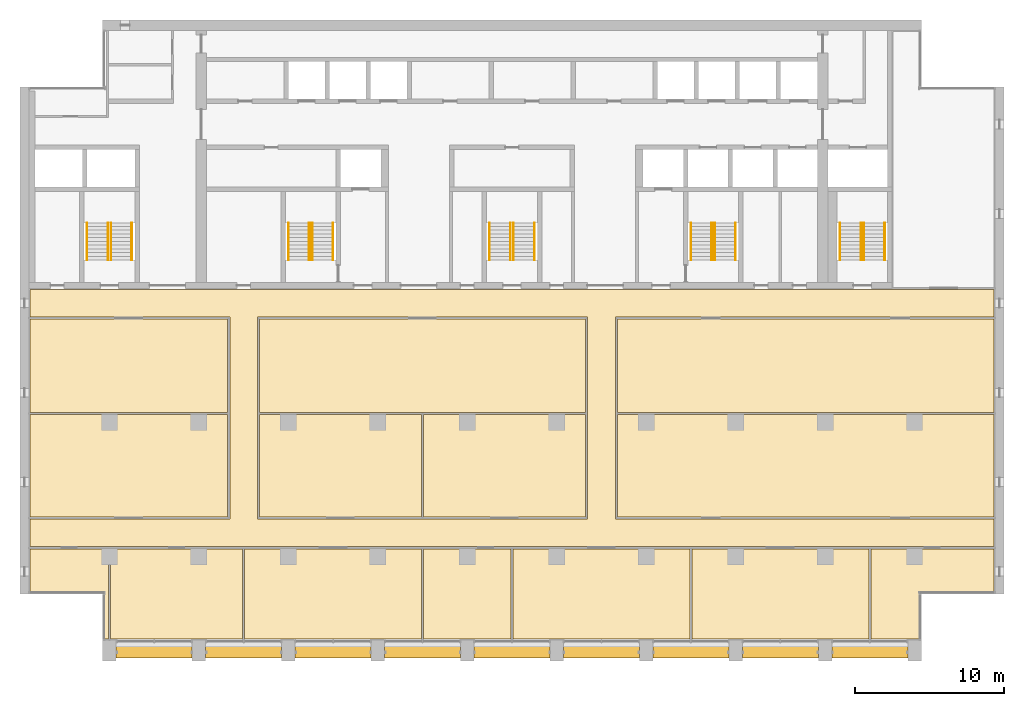
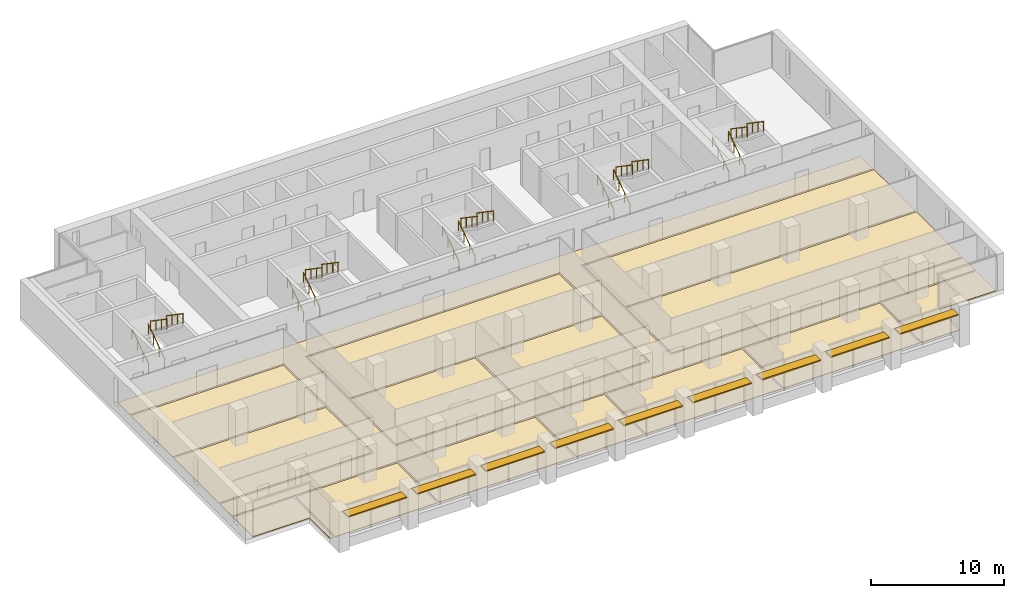
# One storey, part 16 of 17: 20 railings, 15 coverings, 9 shading devices, 5 elements without a shape of their own.
"""IFC4 building model written with IfcOpenShell, lengths in metres."""

from ifc_helpers import new_model, si_unit, direction, frame, origin, origin_2d, place, context, subcontext, project, spatial, polyline, rectangle, circle, outline, extrude, material, layer, layer_set, material_profile, profile_set, type_object, element, aggregate, save


model = new_model("IFC4")

# Units and contexts
model_context = context("Model", 3, precision=1e-05, world=origin(), true_north=direction((0.0, 1.0)))
body_context = subcontext(model_context, "Body", "Model", "MODEL_VIEW")
ifc_project = project(units=[si_unit("LENGTHUNIT", "METRE"), si_unit("AREAUNIT", "SQUARE_METRE"), si_unit("VOLUMEUNIT", "CUBIC_METRE"), si_unit("PLANEANGLEUNIT", "RADIAN"), si_unit("MASSUNIT", "GRAM", prefix="KILO")], contexts=[model_context])

# Site, building, storey
site_placement = place(None, origin())
site = spatial("IfcSite", under=ifc_project, at=site_placement, CompositionType="ELEMENT")
building_placement = place(site_placement, origin())
building = spatial("IfcBuilding", under=site, at=building_placement, Name="Calvaro Tower", CompositionType="ELEMENT")
storey_placement = place(building_placement, frame((0.0, 0.0, 196.75)))
storey = spatial("IfcBuildingStorey", under=building, at=storey_placement, Name="L49", CompositionType="ELEMENT", Elevation=196.75)

# Shading devices
ifc_material_1 = material(Name="Anodised aluminium", Category="aluminium")
ifc_material_profile = material_profile(ifc_material_1, rectangle(XDim=0.800048828125, YDim=0.10009765625, at=origin_2d()), Name="Brise-soleil blade 800 x 100")
ifc_profile_set = profile_set([ifc_material_profile], Name="Anodised aluminium")
shading_device_type = type_object("IfcShadingDeviceType", Name="Brise-soleil blade 800 x 100", PredefinedType="JALOUSIE", material=ifc_profile_set)
for number, where, z_axis, x_axis, name in (
    (1, (12.449951171875, 3.60009765625, 2.5), (1.0, 0.0, 0.0), (0.0, 1.0, 0.0), "Brise-soleil blade 1"),
    (2, (18.449951171875, 3.60009765625, 2.5), (1.0, 0.0, 0.0), (0.0, 1.0, 0.0), "Brise-soleil blade 2"),
    (3, (24.449951171875, 3.60009765625, 2.5), (1.0, 0.0, 0.0), (0.0, 1.0, 0.0), "Brise-soleil blade 3"),
    (4, (30.449951171875, 3.60009765625, 2.5), (1.0, 0.0, 0.0), (0.0, 1.0, 0.0), "Brise-soleil blade 4"),
    (5, (36.449951171875, 3.60009765625, 2.5), (1.0, 0.0, 0.0), (0.0, 1.0, 0.0), "Brise-soleil blade 5"),
    (6, (42.449951171875, 3.60009765625, 2.5), (1.0, 0.0, 0.0), (0.0, 1.0, 0.0), "Brise-soleil blade 6"),
    (7, (48.449951171875, 3.60009765625, 2.5), (1.0, 0.0, 0.0), (0.0, 1.0, 0.0), "Brise-soleil blade 7"),
    (8, (54.449951171875, 3.60009765625, 2.5), (1.0, 0.0, 0.0), (0.0, 1.0, 0.0), "Brise-soleil blade 8"),
    (9, (60.449951171875, 3.60009765625, 2.5), (1.0, 0.0, 0.0), (0.0, 1.0, 0.0), "Brise-soleil blade 9"),
):
    element("IfcShadingDevice", number, at=place(storey_placement, frame(where, z_axis=z_axis, x_axis=x_axis)), inside=storey, type_object=shading_device_type, Name=name, PredefinedType="JALOUSIE", context=body_context, shape_type="SweptSolid", body=[
        extrude(rectangle(XDim=0.800048828125, YDim=0.10009765625, at=origin_2d()), origin(), (0.0, 0.0, 1.0), 5.10009765625),
    ])

# Coverings
ifc_material_2 = material(Name="Cement screed with carpet tile finish")
ifc_layer = layer(ifc_material_2, 0.050048828125)
ifc_layer_set = layer_set([ifc_layer], Name="Cement screed with carpet tile finish")
covering_type = type_object("IfcCoveringType", Name="Floor finish 50", PredefinedType="FLOORING", material=ifc_layer_set)
covering_1_placement = place(storey_placement, origin())
element("IfcCovering", 10, at=covering_1_placement, inside=storey, type_object=covering_type, Name="Floor finish 28.01", PredefinedType="FLOORING", context=body_context, shape_type="SweptSolid", body=[
    extrude(outline(polyline([(6.669921875, 10.669921875), (6.669921875, 12.530029296875), (20.070068359375, 12.530029296875), (20.070068359375, 26.070068359375), (6.669921875, 26.070068359375), (6.669921875, 27.929931640625), (71.330078125, 27.929931640625), (71.330078125, 26.070068359375), (45.929931640625, 26.070068359375), (45.929931640625, 12.530029296875), (71.330078125, 12.530029296875), (71.330078125, 10.669921875), (6.669921875, 10.669921875)]), holes=[polyline([(44.070068359375, 12.530029296875), (44.070068359375, 26.070068359375), (21.929931640625, 26.070068359375), (21.929931640625, 12.530029296875), (44.070068359375, 12.530029296875)])]), origin(), (0.0, 0.0, 1.0), 0.050048828125),
])
covering_2_placement = place(storey_placement, origin())
element("IfcCovering", 11, at=covering_2_placement, inside=storey, type_object=covering_type, Name="Floor finish 28.08", PredefinedType="FLOORING", context=body_context, shape_type="SweptSolid", body=[
    extrude(outline(polyline([(11.929931640625, 10.530029296875), (11.929931640625, 4.469970703125), (11.6201171875, 4.469970703125), (11.6201171875, 7.570068359375), (6.669921875, 7.570068359375), (6.669921875, 10.530029296875), (11.929931640625, 10.530029296875)])), origin(), (0.0, 0.0, 1.0), 0.050048828125),
])
covering_3_placement = place(storey_placement, origin())
element("IfcCovering", 12, at=covering_3_placement, inside=storey, type_object=covering_type, Name="Floor finish 28.02", PredefinedType="FLOORING", context=body_context, shape_type="SweptSolid", body=[
    extrude(outline(polyline([(12.070068359375, 10.530029296875), (20.929931640625, 10.530029296875), (20.929931640625, 4.469970703125), (12.070068359375, 4.469970703125), (12.070068359375, 10.530029296875)])), origin(), (0.0, 0.0, 1.0), 0.050048828125),
])
covering_4_placement = place(storey_placement, origin())
element("IfcCovering", 13, at=covering_4_placement, inside=storey, type_object=covering_type, Name="Floor finish 28.03", PredefinedType="FLOORING", context=body_context, shape_type="SweptSolid", body=[
    extrude(outline(polyline([(21.070068359375, 10.530029296875), (32.929931640625, 10.530029296875), (32.929931640625, 4.469970703125), (21.070068359375, 4.469970703125), (21.070068359375, 10.530029296875)])), origin(), (0.0, 0.0, 1.0), 0.050048828125),
])
covering_5_placement = place(storey_placement, origin())
element("IfcCovering", 14, at=covering_5_placement, inside=storey, type_object=covering_type, Name="Floor finish 28.04", PredefinedType="FLOORING", context=body_context, shape_type="SweptSolid", body=[
    extrude(outline(polyline([(33.070068359375, 10.530029296875), (38.929931640625, 10.530029296875), (38.929931640625, 4.469970703125), (33.070068359375, 4.469970703125), (33.070068359375, 10.530029296875)])), origin(), (0.0, 0.0, 1.0), 0.050048828125),
])
covering_6_placement = place(storey_placement, origin())
element("IfcCovering", 15, at=covering_6_placement, inside=storey, type_object=covering_type, Name="Floor finish 28.05", PredefinedType="FLOORING", context=body_context, shape_type="SweptSolid", body=[
    extrude(outline(polyline([(39.070068359375, 10.530029296875), (50.929931640625, 10.530029296875), (50.929931640625, 4.469970703125), (39.070068359375, 4.469970703125), (39.070068359375, 10.530029296875)])), origin(), (0.0, 0.0, 1.0), 0.050048828125),
])
covering_7_placement = place(storey_placement, origin())
element("IfcCovering", 16, at=covering_7_placement, inside=storey, type_object=covering_type, Name="Floor finish 28.06", PredefinedType="FLOORING", context=body_context, shape_type="SweptSolid", body=[
    extrude(outline(polyline([(51.070068359375, 10.530029296875), (62.929931640625, 10.530029296875), (62.929931640625, 4.469970703125), (51.070068359375, 4.469970703125), (51.070068359375, 10.530029296875)])), origin(), (0.0, 0.0, 1.0), 0.050048828125),
])
covering_8_placement = place(storey_placement, origin())
element("IfcCovering", 17, at=covering_8_placement, inside=storey, type_object=covering_type, Name="Floor finish 28.07", PredefinedType="FLOORING", context=body_context, shape_type="SweptSolid", body=[
    extrude(outline(polyline([(71.330078125, 7.570068359375), (66.3798828125, 7.570068359375), (66.3798828125, 4.469970703125), (63.070068359375, 4.469970703125), (63.070068359375, 10.530029296875), (71.330078125, 10.530029296875), (71.330078125, 7.570068359375)])), origin(), (0.0, 0.0, 1.0), 0.050048828125),
])
covering_9_placement = place(storey_placement, origin())
element("IfcCovering", 18, at=covering_9_placement, inside=storey, type_object=covering_type, Name="Floor finish 28.09", PredefinedType="FLOORING", context=body_context, shape_type="SweptSolid", body=[
    extrude(outline(polyline([(19.929931640625, 19.530029296875), (19.929931640625, 12.669921875), (6.669921875, 12.669921875), (6.669921875, 19.530029296875), (19.929931640625, 19.530029296875)])), origin(), (0.0, 0.0, 1.0), 0.050048828125),
])
covering_10_placement = place(storey_placement, origin())
element("IfcCovering", 19, at=covering_10_placement, inside=storey, type_object=covering_type, Name="Floor finish 28.13", PredefinedType="FLOORING", context=body_context, shape_type="SweptSolid", body=[
    extrude(outline(polyline([(19.929931640625, 25.929931640625), (19.929931640625, 19.669921875), (6.669921875, 19.669921875), (6.669921875, 25.929931640625), (19.929931640625, 25.929931640625)])), origin(), (0.0, 0.0, 1.0), 0.050048828125),
])
covering_11_placement = place(storey_placement, origin())
element("IfcCovering", 20, at=covering_11_placement, inside=storey, type_object=covering_type, Name="Floor finish 28.10", PredefinedType="FLOORING", context=body_context, shape_type="SweptSolid", body=[
    extrude(outline(polyline([(22.070068359375, 12.669921875), (22.070068359375, 19.530029296875), (32.929931640625, 19.530029296875), (32.929931640625, 12.669921875), (22.070068359375, 12.669921875)])), origin(), (0.0, 0.0, 1.0), 0.050048828125),
])
covering_12_placement = place(storey_placement, origin())
element("IfcCovering", 21, at=covering_12_placement, inside=storey, type_object=covering_type, Name="Floor finish 28.11", PredefinedType="FLOORING", context=body_context, shape_type="SweptSolid", body=[
    extrude(outline(polyline([(33.070068359375, 12.669921875), (33.070068359375, 19.530029296875), (43.929931640625, 19.530029296875), (43.929931640625, 12.669921875), (33.070068359375, 12.669921875)])), origin(), (0.0, 0.0, 1.0), 0.050048828125),
])
covering_13_placement = place(storey_placement, origin())
element("IfcCovering", 22, at=covering_13_placement, inside=storey, type_object=covering_type, Name="Floor finish 28.14", PredefinedType="FLOORING", context=body_context, shape_type="SweptSolid", body=[
    extrude(outline(polyline([(22.070068359375, 19.669921875), (22.070068359375, 25.929931640625), (43.929931640625, 25.929931640625), (43.929931640625, 19.669921875), (22.070068359375, 19.669921875)])), origin(), (0.0, 0.0, 1.0), 0.050048828125),
])
covering_14_placement = place(storey_placement, origin())
element("IfcCovering", 23, at=covering_14_placement, inside=storey, type_object=covering_type, Name="Floor finish 28.12", PredefinedType="FLOORING", context=body_context, shape_type="SweptSolid", body=[
    extrude(outline(polyline([(71.330078125, 12.669921875), (46.070068359375, 12.669921875), (46.070068359375, 19.530029296875), (71.330078125, 19.530029296875), (71.330078125, 12.669921875)])), origin(), (0.0, 0.0, 1.0), 0.050048828125),
])
covering_15_placement = place(storey_placement, origin())
element("IfcCovering", 24, at=covering_15_placement, inside=storey, type_object=covering_type, Name="Floor finish 28.15", PredefinedType="FLOORING", context=body_context, shape_type="SweptSolid", body=[
    extrude(outline(polyline([(71.330078125, 19.669921875), (46.070068359375, 19.669921875), (46.070068359375, 25.929931640625), (71.330078125, 25.929931640625), (71.330078125, 19.669921875)])), origin(), (0.0, 0.0, 1.0), 0.050048828125),
])

# Stair, railings
ifc_material_3 = material(Name="Concrete C40/50", Category="concrete")
stair_type = type_object("IfcStairType", Name="Exit stair 1400 2 flights", PredefinedType="HALF_TURN_STAIR", material=ifc_material_3)
stair_1_placement = place(storey_placement, origin())
stair_1 = element("IfcStair", 25, at=stair_1_placement, inside=storey, type_object=stair_type, Name="Exit stair S1", PredefinedType="HALF_TURN_STAIR")
ifc_material_4 = material(Name="Stainless steel", Category="steel")
railing_type = type_object("IfcRailingType", Name="Stair handrail", PredefinedType="HANDRAIL", material=ifc_material_4)
railing_1_placement = place(storey_placement, frame((11.89990234375, 29.89990234375, 0.17041015625)))
railing_1 = element("IfcRailing", 26, at=railing_1_placement, type_object=railing_type, Name="Exit stair 1 handrail", PredefinedType="HANDRAIL", context=body_context, shape_type="SweptSolid", body=[
    extrude(circle(Radius=0.02392578125, at=origin_2d()), frame((0.0, 0.0, 0.8759765625), z_axis=(0.0, 0.826220514629, 0.563346839174), x_axis=(-1.0, 0.0, 0.0)), (0.0, 0.0, 1.0), 3.02587890625),
    extrude(circle(Radius=0.02099609375, at=origin_2d()), frame((0.0, 0.017333984375, 0.01171875)), (0.0, 0.0, 1.0), 0.851806640625),
    extrude(circle(Radius=0.02099609375, at=origin_2d()), frame((0.0, 0.833251953125, 0.568115234375)), (0.0, 0.0, 1.0), 0.851806640625),
    extrude(circle(Radius=0.02099609375, at=origin_2d()), frame((0.0, 1.666748046875, 1.136474609375)), (0.0, 0.0, 1.0), 0.851806640625),
    extrude(circle(Radius=0.02099609375, at=origin_2d()), frame((0.0, 2.482666015625, 1.69287109375)), (0.0, 0.0, 1.0), 0.851806640625),
])
railing_2_placement = place(storey_placement, frame((10.5, 29.89990234375, 0.17041015625)))
railing_2 = element("IfcRailing", 27, at=railing_2_placement, type_object=railing_type, Name="Exit stair 1 handrail", PredefinedType="HANDRAIL", context=body_context, shape_type="SweptSolid", body=[
    extrude(circle(Radius=0.02392578125, at=origin_2d()), frame((0.0, 0.0, 0.8759765625), z_axis=(0.0, 0.826220514629, 0.563346839174), x_axis=(-1.0, 0.0, 0.0)), (0.0, 0.0, 1.0), 3.02587890625),
    extrude(circle(Radius=0.02099609375, at=origin_2d()), frame((0.0, 0.017333984375, 0.01171875)), (0.0, 0.0, 1.0), 0.851806640625),
    extrude(circle(Radius=0.02099609375, at=origin_2d()), frame((0.0, 0.833251953125, 0.568115234375)), (0.0, 0.0, 1.0), 0.851806640625),
    extrude(circle(Radius=0.02099609375, at=origin_2d()), frame((0.0, 1.666748046875, 1.136474609375)), (0.0, 0.0, 1.0), 0.851806640625),
    extrude(circle(Radius=0.02099609375, at=origin_2d()), frame((0.0, 2.482666015625, 1.69287109375)), (0.0, 0.0, 1.0), 0.851806640625),
])
railing_3_placement = place(storey_placement, frame((12.10009765625, 32.39990234375, 2.04541015625)))
railing_3 = element("IfcRailing", 28, at=railing_3_placement, type_object=railing_type, Name="Exit stair 1 handrail", PredefinedType="HANDRAIL", context=body_context, shape_type="SweptSolid", body=[
    extrude(circle(Radius=0.02392578125, at=origin_2d()), frame((0.0, 0.0, 0.8759765625), z_axis=(0.0, -0.826220514629, 0.563346839174), x_axis=(1.0, 0.0, 0.0)), (0.0, 0.0, 1.0), 3.02587890625),
    extrude(circle(Radius=0.02099609375, at=origin_2d()), frame((0.0, -0.017333984375, 0.01171875)), (0.0, 0.0, 1.0), 0.851806640625),
    extrude(circle(Radius=0.02099609375, at=origin_2d()), frame((0.0, -0.833251953125, 0.568115234375)), (0.0, 0.0, 1.0), 0.851806640625),
    extrude(circle(Radius=0.02099609375, at=origin_2d()), frame((0.0, -1.666748046875, 1.136474609375)), (0.0, 0.0, 1.0), 0.851806640625),
    extrude(circle(Radius=0.02099609375, at=origin_2d()), frame((0.0, -2.482666015625, 1.69287109375)), (0.0, 0.0, 1.0), 0.851806640625),
])
railing_4_placement = place(storey_placement, frame((13.5, 32.39990234375, 2.04541015625)))
railing_4 = element("IfcRailing", 29, at=railing_4_placement, type_object=railing_type, Name="Exit stair 1 handrail", PredefinedType="HANDRAIL", context=body_context, shape_type="SweptSolid", body=[
    extrude(circle(Radius=0.02392578125, at=origin_2d()), frame((0.0, 0.0, 0.8759765625), z_axis=(0.0, -0.826220514629, 0.563346839174), x_axis=(1.0, 0.0, 0.0)), (0.0, 0.0, 1.0), 3.02587890625),
    extrude(circle(Radius=0.02099609375, at=origin_2d()), frame((0.0, -0.017333984375, 0.01171875)), (0.0, 0.0, 1.0), 0.851806640625),
    extrude(circle(Radius=0.02099609375, at=origin_2d()), frame((0.0, -0.833251953125, 0.568115234375)), (0.0, 0.0, 1.0), 0.851806640625),
    extrude(circle(Radius=0.02099609375, at=origin_2d()), frame((0.0, -1.666748046875, 1.136474609375)), (0.0, 0.0, 1.0), 0.851806640625),
    extrude(circle(Radius=0.02099609375, at=origin_2d()), frame((0.0, -2.482666015625, 1.69287109375)), (0.0, 0.0, 1.0), 0.851806640625),
])
aggregate(stair_1, [railing_1, railing_2, railing_3, railing_4])

stair_2_placement = place(storey_placement, origin())
stair_2 = element("IfcStair", 30, at=stair_2_placement, inside=storey, type_object=stair_type, Name="Exit stair S2", PredefinedType="HALF_TURN_STAIR")
railing_5_placement = place(storey_placement, frame((25.39990234375, 29.89990234375, 0.17041015625)))
railing_5 = element("IfcRailing", 31, at=railing_5_placement, type_object=railing_type, Name="Exit stair 2 handrail", PredefinedType="HANDRAIL", context=body_context, shape_type="SweptSolid", body=[
    extrude(circle(Radius=0.02392578125, at=origin_2d()), frame((0.0, 0.0, 0.8759765625), z_axis=(0.0, 0.826220514629, 0.563346839174), x_axis=(-1.0, 0.0, 0.0)), (0.0, 0.0, 1.0), 3.02587890625),
    extrude(circle(Radius=0.02099609375, at=origin_2d()), frame((0.0, 0.017333984375, 0.01171875)), (0.0, 0.0, 1.0), 0.851806640625),
    extrude(circle(Radius=0.02099609375, at=origin_2d()), frame((0.0, 0.833251953125, 0.568115234375)), (0.0, 0.0, 1.0), 0.851806640625),
    extrude(circle(Radius=0.02099609375, at=origin_2d()), frame((0.0, 1.666748046875, 1.136474609375)), (0.0, 0.0, 1.0), 0.851806640625),
    extrude(circle(Radius=0.02099609375, at=origin_2d()), frame((0.0, 2.482666015625, 1.69287109375)), (0.0, 0.0, 1.0), 0.851806640625),
])
railing_6_placement = place(storey_placement, frame((24.0, 29.89990234375, 0.17041015625)))
railing_6 = element("IfcRailing", 32, at=railing_6_placement, type_object=railing_type, Name="Exit stair 2 handrail", PredefinedType="HANDRAIL", context=body_context, shape_type="SweptSolid", body=[
    extrude(circle(Radius=0.02392578125, at=origin_2d()), frame((0.0, 0.0, 0.8759765625), z_axis=(0.0, 0.826220514629, 0.563346839174), x_axis=(-1.0, 0.0, 0.0)), (0.0, 0.0, 1.0), 3.02587890625),
    extrude(circle(Radius=0.02099609375, at=origin_2d()), frame((0.0, 0.017333984375, 0.01171875)), (0.0, 0.0, 1.0), 0.851806640625),
    extrude(circle(Radius=0.02099609375, at=origin_2d()), frame((0.0, 0.833251953125, 0.568115234375)), (0.0, 0.0, 1.0), 0.851806640625),
    extrude(circle(Radius=0.02099609375, at=origin_2d()), frame((0.0, 1.666748046875, 1.136474609375)), (0.0, 0.0, 1.0), 0.851806640625),
    extrude(circle(Radius=0.02099609375, at=origin_2d()), frame((0.0, 2.482666015625, 1.69287109375)), (0.0, 0.0, 1.0), 0.851806640625),
])
railing_7_placement = place(storey_placement, frame((25.60009765625, 32.39990234375, 2.04541015625)))
railing_7 = element("IfcRailing", 33, at=railing_7_placement, type_object=railing_type, Name="Exit stair 2 handrail", PredefinedType="HANDRAIL", context=body_context, shape_type="SweptSolid", body=[
    extrude(circle(Radius=0.02392578125, at=origin_2d()), frame((0.0, 0.0, 0.8759765625), z_axis=(0.0, -0.826220514629, 0.563346839174), x_axis=(1.0, 0.0, 0.0)), (0.0, 0.0, 1.0), 3.02587890625),
    extrude(circle(Radius=0.02099609375, at=origin_2d()), frame((0.0, -0.017333984375, 0.01171875)), (0.0, 0.0, 1.0), 0.851806640625),
    extrude(circle(Radius=0.02099609375, at=origin_2d()), frame((0.0, -0.833251953125, 0.568115234375)), (0.0, 0.0, 1.0), 0.851806640625),
    extrude(circle(Radius=0.02099609375, at=origin_2d()), frame((0.0, -1.666748046875, 1.136474609375)), (0.0, 0.0, 1.0), 0.851806640625),
    extrude(circle(Radius=0.02099609375, at=origin_2d()), frame((0.0, -2.482666015625, 1.69287109375)), (0.0, 0.0, 1.0), 0.851806640625),
])
railing_8_placement = place(storey_placement, frame((27.0, 32.39990234375, 2.04541015625)))
railing_8 = element("IfcRailing", 34, at=railing_8_placement, type_object=railing_type, Name="Exit stair 2 handrail", PredefinedType="HANDRAIL", context=body_context, shape_type="SweptSolid", body=[
    extrude(circle(Radius=0.02392578125, at=origin_2d()), frame((0.0, 0.0, 0.8759765625), z_axis=(0.0, -0.826220514629, 0.563346839174), x_axis=(1.0, 0.0, 0.0)), (0.0, 0.0, 1.0), 3.02587890625),
    extrude(circle(Radius=0.02099609375, at=origin_2d()), frame((0.0, -0.017333984375, 0.01171875)), (0.0, 0.0, 1.0), 0.851806640625),
    extrude(circle(Radius=0.02099609375, at=origin_2d()), frame((0.0, -0.833251953125, 0.568115234375)), (0.0, 0.0, 1.0), 0.851806640625),
    extrude(circle(Radius=0.02099609375, at=origin_2d()), frame((0.0, -1.666748046875, 1.136474609375)), (0.0, 0.0, 1.0), 0.851806640625),
    extrude(circle(Radius=0.02099609375, at=origin_2d()), frame((0.0, -2.482666015625, 1.69287109375)), (0.0, 0.0, 1.0), 0.851806640625),
])
aggregate(stair_2, [railing_5, railing_6, railing_7, railing_8])

stair_3_placement = place(storey_placement, origin())
stair_3 = element("IfcStair", 35, at=stair_3_placement, inside=storey, type_object=stair_type, Name="Exit stair S3", PredefinedType="HALF_TURN_STAIR")
railing_9_placement = place(storey_placement, frame((38.89990234375, 29.89990234375, 0.17041015625)))
railing_9 = element("IfcRailing", 36, at=railing_9_placement, type_object=railing_type, Name="Exit stair 3 handrail", PredefinedType="HANDRAIL", context=body_context, shape_type="SweptSolid", body=[
    extrude(circle(Radius=0.02392578125, at=origin_2d()), frame((0.0, 0.0, 0.8759765625), z_axis=(0.0, 0.826220514629, 0.563346839174), x_axis=(-1.0, 0.0, 0.0)), (0.0, 0.0, 1.0), 3.02587890625),
    extrude(circle(Radius=0.02099609375, at=origin_2d()), frame((0.0, 0.017333984375, 0.01171875)), (0.0, 0.0, 1.0), 0.851806640625),
    extrude(circle(Radius=0.02099609375, at=origin_2d()), frame((0.0, 0.833251953125, 0.568115234375)), (0.0, 0.0, 1.0), 0.851806640625),
    extrude(circle(Radius=0.02099609375, at=origin_2d()), frame((0.0, 1.666748046875, 1.136474609375)), (0.0, 0.0, 1.0), 0.851806640625),
    extrude(circle(Radius=0.02099609375, at=origin_2d()), frame((0.0, 2.482666015625, 1.69287109375)), (0.0, 0.0, 1.0), 0.851806640625),
])
railing_10_placement = place(storey_placement, frame((37.5, 29.89990234375, 0.17041015625)))
railing_10 = element("IfcRailing", 37, at=railing_10_placement, type_object=railing_type, Name="Exit stair 3 handrail", PredefinedType="HANDRAIL", context=body_context, shape_type="SweptSolid", body=[
    extrude(circle(Radius=0.02392578125, at=origin_2d()), frame((0.0, 0.0, 0.8759765625), z_axis=(0.0, 0.826220514629, 0.563346839174), x_axis=(-1.0, 0.0, 0.0)), (0.0, 0.0, 1.0), 3.02587890625),
    extrude(circle(Radius=0.02099609375, at=origin_2d()), frame((0.0, 0.017333984375, 0.01171875)), (0.0, 0.0, 1.0), 0.851806640625),
    extrude(circle(Radius=0.02099609375, at=origin_2d()), frame((0.0, 0.833251953125, 0.568115234375)), (0.0, 0.0, 1.0), 0.851806640625),
    extrude(circle(Radius=0.02099609375, at=origin_2d()), frame((0.0, 1.666748046875, 1.136474609375)), (0.0, 0.0, 1.0), 0.851806640625),
    extrude(circle(Radius=0.02099609375, at=origin_2d()), frame((0.0, 2.482666015625, 1.69287109375)), (0.0, 0.0, 1.0), 0.851806640625),
])
railing_11_placement = place(storey_placement, frame((39.10009765625, 32.39990234375, 2.04541015625)))
railing_11 = element("IfcRailing", 38, at=railing_11_placement, type_object=railing_type, Name="Exit stair 3 handrail", PredefinedType="HANDRAIL", context=body_context, shape_type="SweptSolid", body=[
    extrude(circle(Radius=0.02392578125, at=origin_2d()), frame((0.0, 0.0, 0.8759765625), z_axis=(0.0, -0.826220514629, 0.563346839174), x_axis=(1.0, 0.0, 0.0)), (0.0, 0.0, 1.0), 3.02587890625),
    extrude(circle(Radius=0.02099609375, at=origin_2d()), frame((0.0, -0.017333984375, 0.01171875)), (0.0, 0.0, 1.0), 0.851806640625),
    extrude(circle(Radius=0.02099609375, at=origin_2d()), frame((0.0, -0.833251953125, 0.568115234375)), (0.0, 0.0, 1.0), 0.851806640625),
    extrude(circle(Radius=0.02099609375, at=origin_2d()), frame((0.0, -1.666748046875, 1.136474609375)), (0.0, 0.0, 1.0), 0.851806640625),
    extrude(circle(Radius=0.02099609375, at=origin_2d()), frame((0.0, -2.482666015625, 1.69287109375)), (0.0, 0.0, 1.0), 0.851806640625),
])
railing_12_placement = place(storey_placement, frame((40.5, 32.39990234375, 2.04541015625)))
railing_12 = element("IfcRailing", 39, at=railing_12_placement, type_object=railing_type, Name="Exit stair 3 handrail", PredefinedType="HANDRAIL", context=body_context, shape_type="SweptSolid", body=[
    extrude(circle(Radius=0.02392578125, at=origin_2d()), frame((0.0, 0.0, 0.8759765625), z_axis=(0.0, -0.826220514629, 0.563346839174), x_axis=(1.0, 0.0, 0.0)), (0.0, 0.0, 1.0), 3.02587890625),
    extrude(circle(Radius=0.02099609375, at=origin_2d()), frame((0.0, -0.017333984375, 0.01171875)), (0.0, 0.0, 1.0), 0.851806640625),
    extrude(circle(Radius=0.02099609375, at=origin_2d()), frame((0.0, -0.833251953125, 0.568115234375)), (0.0, 0.0, 1.0), 0.851806640625),
    extrude(circle(Radius=0.02099609375, at=origin_2d()), frame((0.0, -1.666748046875, 1.136474609375)), (0.0, 0.0, 1.0), 0.851806640625),
    extrude(circle(Radius=0.02099609375, at=origin_2d()), frame((0.0, -2.482666015625, 1.69287109375)), (0.0, 0.0, 1.0), 0.851806640625),
])
aggregate(stair_3, [railing_9, railing_10, railing_11, railing_12])

stair_4_placement = place(storey_placement, origin())
stair_4 = element("IfcStair", 40, at=stair_4_placement, inside=storey, type_object=stair_type, Name="Exit stair S4", PredefinedType="HALF_TURN_STAIR")
railing_13_placement = place(storey_placement, frame((52.39990234375, 29.89990234375, 0.17041015625)))
railing_13 = element("IfcRailing", 41, at=railing_13_placement, type_object=railing_type, Name="Exit stair 4 handrail", PredefinedType="HANDRAIL", context=body_context, shape_type="SweptSolid", body=[
    extrude(circle(Radius=0.02392578125, at=origin_2d()), frame((0.0, 0.0, 0.8759765625), z_axis=(0.0, 0.826220514629, 0.563346839174), x_axis=(-1.0, 0.0, 0.0)), (0.0, 0.0, 1.0), 3.02587890625),
    extrude(circle(Radius=0.02099609375, at=origin_2d()), frame((0.0, 0.017333984375, 0.01171875)), (0.0, 0.0, 1.0), 0.851806640625),
    extrude(circle(Radius=0.02099609375, at=origin_2d()), frame((0.0, 0.833251953125, 0.568115234375)), (0.0, 0.0, 1.0), 0.851806640625),
    extrude(circle(Radius=0.02099609375, at=origin_2d()), frame((0.0, 1.666748046875, 1.136474609375)), (0.0, 0.0, 1.0), 0.851806640625),
    extrude(circle(Radius=0.02099609375, at=origin_2d()), frame((0.0, 2.482666015625, 1.69287109375)), (0.0, 0.0, 1.0), 0.851806640625),
])
railing_14_placement = place(storey_placement, frame((51.0, 29.89990234375, 0.17041015625)))
railing_14 = element("IfcRailing", 42, at=railing_14_placement, type_object=railing_type, Name="Exit stair 4 handrail", PredefinedType="HANDRAIL", context=body_context, shape_type="SweptSolid", body=[
    extrude(circle(Radius=0.02392578125, at=origin_2d()), frame((0.0, 0.0, 0.8759765625), z_axis=(0.0, 0.826220514629, 0.563346839174), x_axis=(-1.0, 0.0, 0.0)), (0.0, 0.0, 1.0), 3.02587890625),
    extrude(circle(Radius=0.02099609375, at=origin_2d()), frame((0.0, 0.017333984375, 0.01171875)), (0.0, 0.0, 1.0), 0.851806640625),
    extrude(circle(Radius=0.02099609375, at=origin_2d()), frame((0.0, 0.833251953125, 0.568115234375)), (0.0, 0.0, 1.0), 0.851806640625),
    extrude(circle(Radius=0.02099609375, at=origin_2d()), frame((0.0, 1.666748046875, 1.136474609375)), (0.0, 0.0, 1.0), 0.851806640625),
    extrude(circle(Radius=0.02099609375, at=origin_2d()), frame((0.0, 2.482666015625, 1.69287109375)), (0.0, 0.0, 1.0), 0.851806640625),
])
railing_15_placement = place(storey_placement, frame((52.60009765625, 32.39990234375, 2.04541015625)))
railing_15 = element("IfcRailing", 43, at=railing_15_placement, type_object=railing_type, Name="Exit stair 4 handrail", PredefinedType="HANDRAIL", context=body_context, shape_type="SweptSolid", body=[
    extrude(circle(Radius=0.02392578125, at=origin_2d()), frame((0.0, 0.0, 0.8759765625), z_axis=(0.0, -0.826220514629, 0.563346839174), x_axis=(1.0, 0.0, 0.0)), (0.0, 0.0, 1.0), 3.02587890625),
    extrude(circle(Radius=0.02099609375, at=origin_2d()), frame((0.0, -0.017333984375, 0.01171875)), (0.0, 0.0, 1.0), 0.851806640625),
    extrude(circle(Radius=0.02099609375, at=origin_2d()), frame((0.0, -0.833251953125, 0.568115234375)), (0.0, 0.0, 1.0), 0.851806640625),
    extrude(circle(Radius=0.02099609375, at=origin_2d()), frame((0.0, -1.666748046875, 1.136474609375)), (0.0, 0.0, 1.0), 0.851806640625),
    extrude(circle(Radius=0.02099609375, at=origin_2d()), frame((0.0, -2.482666015625, 1.69287109375)), (0.0, 0.0, 1.0), 0.851806640625),
])
railing_16_placement = place(storey_placement, frame((54.0, 32.39990234375, 2.04541015625)))
railing_16 = element("IfcRailing", 44, at=railing_16_placement, type_object=railing_type, Name="Exit stair 4 handrail", PredefinedType="HANDRAIL", context=body_context, shape_type="SweptSolid", body=[
    extrude(circle(Radius=0.02392578125, at=origin_2d()), frame((0.0, 0.0, 0.8759765625), z_axis=(0.0, -0.826220514629, 0.563346839174), x_axis=(1.0, 0.0, 0.0)), (0.0, 0.0, 1.0), 3.02587890625),
    extrude(circle(Radius=0.02099609375, at=origin_2d()), frame((0.0, -0.017333984375, 0.01171875)), (0.0, 0.0, 1.0), 0.851806640625),
    extrude(circle(Radius=0.02099609375, at=origin_2d()), frame((0.0, -0.833251953125, 0.568115234375)), (0.0, 0.0, 1.0), 0.851806640625),
    extrude(circle(Radius=0.02099609375, at=origin_2d()), frame((0.0, -1.666748046875, 1.136474609375)), (0.0, 0.0, 1.0), 0.851806640625),
    extrude(circle(Radius=0.02099609375, at=origin_2d()), frame((0.0, -2.482666015625, 1.69287109375)), (0.0, 0.0, 1.0), 0.851806640625),
])
aggregate(stair_4, [railing_13, railing_14, railing_15, railing_16])

stair_5_placement = place(storey_placement, origin())
stair_5 = element("IfcStair", 45, at=stair_5_placement, inside=storey, type_object=stair_type, Name="Exit stair S5", PredefinedType="HALF_TURN_STAIR")
railing_17_placement = place(storey_placement, frame((62.39990234375, 29.89990234375, 0.17041015625)))
railing_17 = element("IfcRailing", 46, at=railing_17_placement, type_object=railing_type, Name="Exit stair 5 handrail", PredefinedType="HANDRAIL", context=body_context, shape_type="SweptSolid", body=[
    extrude(circle(Radius=0.02392578125, at=origin_2d()), frame((0.0, 0.0, 0.8759765625), z_axis=(0.0, 0.826220514629, 0.563346839174), x_axis=(-1.0, 0.0, 0.0)), (0.0, 0.0, 1.0), 3.02587890625),
    extrude(circle(Radius=0.02099609375, at=origin_2d()), frame((0.0, 0.017333984375, 0.01171875)), (0.0, 0.0, 1.0), 0.851806640625),
    extrude(circle(Radius=0.02099609375, at=origin_2d()), frame((0.0, 0.833251953125, 0.568115234375)), (0.0, 0.0, 1.0), 0.851806640625),
    extrude(circle(Radius=0.02099609375, at=origin_2d()), frame((0.0, 1.666748046875, 1.136474609375)), (0.0, 0.0, 1.0), 0.851806640625),
    extrude(circle(Radius=0.02099609375, at=origin_2d()), frame((0.0, 2.482666015625, 1.69287109375)), (0.0, 0.0, 1.0), 0.851806640625),
])
railing_18_placement = place(storey_placement, frame((61.0, 29.89990234375, 0.17041015625)))
railing_18 = element("IfcRailing", 47, at=railing_18_placement, type_object=railing_type, Name="Exit stair 5 handrail", PredefinedType="HANDRAIL", context=body_context, shape_type="SweptSolid", body=[
    extrude(circle(Radius=0.02392578125, at=origin_2d()), frame((0.0, 0.0, 0.8759765625), z_axis=(0.0, 0.826220514629, 0.563346839174), x_axis=(-1.0, 0.0, 0.0)), (0.0, 0.0, 1.0), 3.02587890625),
    extrude(circle(Radius=0.02099609375, at=origin_2d()), frame((0.0, 0.017333984375, 0.01171875)), (0.0, 0.0, 1.0), 0.851806640625),
    extrude(circle(Radius=0.02099609375, at=origin_2d()), frame((0.0, 0.833251953125, 0.568115234375)), (0.0, 0.0, 1.0), 0.851806640625),
    extrude(circle(Radius=0.02099609375, at=origin_2d()), frame((0.0, 1.666748046875, 1.136474609375)), (0.0, 0.0, 1.0), 0.851806640625),
    extrude(circle(Radius=0.02099609375, at=origin_2d()), frame((0.0, 2.482666015625, 1.69287109375)), (0.0, 0.0, 1.0), 0.851806640625),
])
railing_19_placement = place(storey_placement, frame((62.60009765625, 32.39990234375, 2.04541015625)))
railing_19 = element("IfcRailing", 48, at=railing_19_placement, type_object=railing_type, Name="Exit stair 5 handrail", PredefinedType="HANDRAIL", context=body_context, shape_type="SweptSolid", body=[
    extrude(circle(Radius=0.02392578125, at=origin_2d()), frame((0.0, 0.0, 0.8759765625), z_axis=(0.0, -0.826220514629, 0.563346839174), x_axis=(1.0, 0.0, 0.0)), (0.0, 0.0, 1.0), 3.02587890625),
    extrude(circle(Radius=0.02099609375, at=origin_2d()), frame((0.0, -0.017333984375, 0.01171875)), (0.0, 0.0, 1.0), 0.851806640625),
    extrude(circle(Radius=0.02099609375, at=origin_2d()), frame((0.0, -0.833251953125, 0.568115234375)), (0.0, 0.0, 1.0), 0.851806640625),
    extrude(circle(Radius=0.02099609375, at=origin_2d()), frame((0.0, -1.666748046875, 1.136474609375)), (0.0, 0.0, 1.0), 0.851806640625),
    extrude(circle(Radius=0.02099609375, at=origin_2d()), frame((0.0, -2.482666015625, 1.69287109375)), (0.0, 0.0, 1.0), 0.851806640625),
])
railing_20_placement = place(storey_placement, frame((64.0, 32.39990234375, 2.04541015625)))
railing_20 = element("IfcRailing", 49, at=railing_20_placement, type_object=railing_type, Name="Exit stair 5 handrail", PredefinedType="HANDRAIL", context=body_context, shape_type="SweptSolid", body=[
    extrude(circle(Radius=0.02392578125, at=origin_2d()), frame((0.0, 0.0, 0.8759765625), z_axis=(0.0, -0.826220514629, 0.563346839174), x_axis=(1.0, 0.0, 0.0)), (0.0, 0.0, 1.0), 3.02587890625),
    extrude(circle(Radius=0.02099609375, at=origin_2d()), frame((0.0, -0.017333984375, 0.01171875)), (0.0, 0.0, 1.0), 0.851806640625),
    extrude(circle(Radius=0.02099609375, at=origin_2d()), frame((0.0, -0.833251953125, 0.568115234375)), (0.0, 0.0, 1.0), 0.851806640625),
    extrude(circle(Radius=0.02099609375, at=origin_2d()), frame((0.0, -1.666748046875, 1.136474609375)), (0.0, 0.0, 1.0), 0.851806640625),
    extrude(circle(Radius=0.02099609375, at=origin_2d()), frame((0.0, -2.482666015625, 1.69287109375)), (0.0, 0.0, 1.0), 0.851806640625),
])
aggregate(stair_5, [railing_17, railing_18, railing_19, railing_20])

save(model, "model.ifc")
